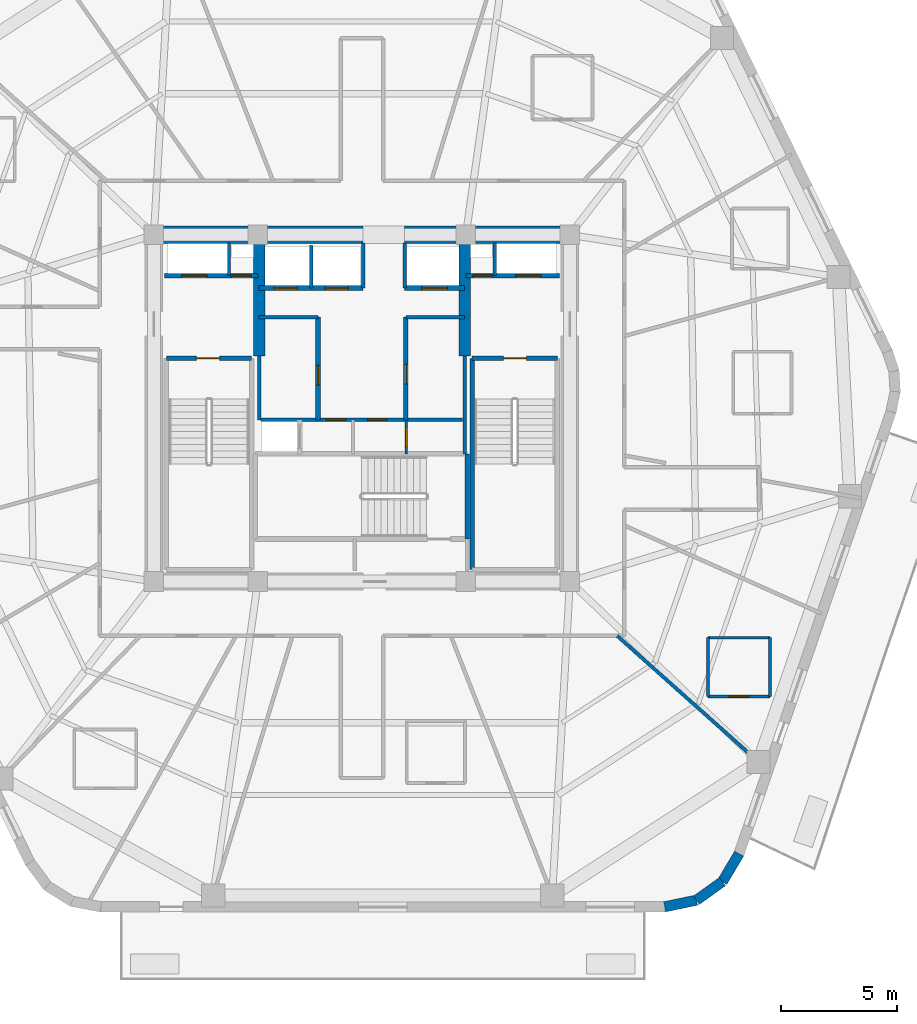
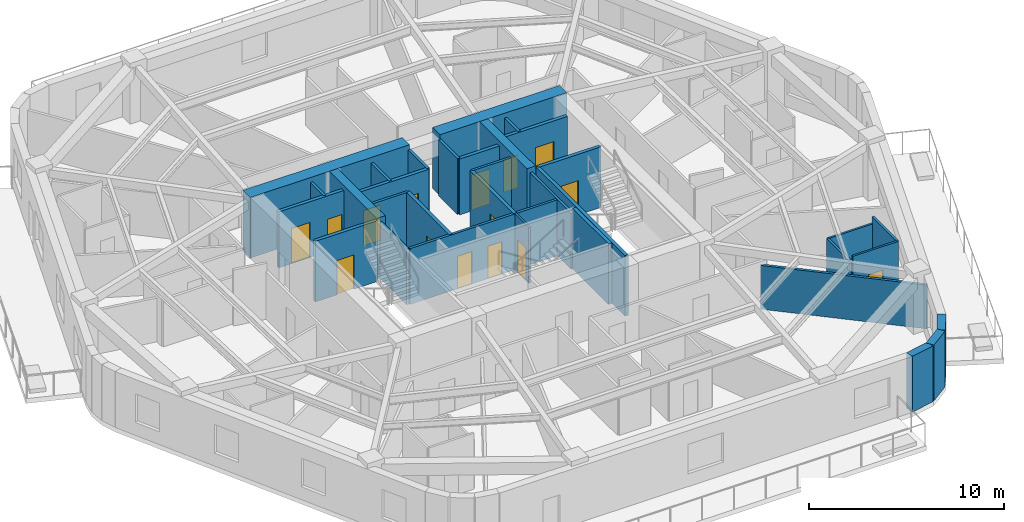
# One storey, part 4 of 9: 33 walls, 15 doors, 15 openings.
"""IFC4 building model written with IfcOpenShell, lengths in metres."""

from ifc_helpers import new_model, si_unit, direction, frame, frame_2d, origin, place, context, subcontext, project, spatial, rectangle, extrude, material, layer, layer_set, type_object, element, fill, save


model = new_model("IFC4")

# Units and contexts
model_context = context("Model", 3, precision=1e-05, world=origin(), true_north=direction((0.0, 1.0)))
body_context = subcontext(model_context, "Body", "Model", "MODEL_VIEW")
ifc_project = project(units=[si_unit("LENGTHUNIT", "METRE"), si_unit("AREAUNIT", "SQUARE_METRE"), si_unit("VOLUMEUNIT", "CUBIC_METRE"), si_unit("PLANEANGLEUNIT", "RADIAN"), si_unit("MASSUNIT", "GRAM", prefix="KILO")], contexts=[model_context])

# Site, building, storey
site_placement = place(None, origin())
site = spatial("IfcSite", under=ifc_project, at=site_placement, CompositionType="ELEMENT")
building_placement = place(site_placement, origin())
building = spatial("IfcBuilding", under=site, at=building_placement, Name="Kilnhurst Terrace Hotel", CompositionType="ELEMENT")
storey_placement = place(building_placement, frame((0.0, 0.0, 225.5)))
storey = spatial("IfcBuildingStorey", under=building, at=storey_placement, Name="L56", CompositionType="ELEMENT", Elevation=225.5)

# Walls
ifc_material_1 = material(Name="Precast concrete C40/50", Category="concrete")
ifc_layer_1 = layer(ifc_material_1, 0.449951171875, Name="Precast concrete C40/50")
ifc_layer_set_1 = layer_set([ifc_layer_1], Name="Precast concrete C40/50")
wall_type_1 = type_object("IfcWallType", Name="WL-BRK-450", PredefinedType="SOLIDWALL", material=ifc_layer_set_1)
wall_1_placement = place(storey_placement, frame((13.1015625, -21.574951171875, 0.0), z_axis=(0.0, 0.0, 1.0), x_axis=(0.978757421505, 0.205021730188, 0.0)))
element("IfcWall", 1, at=wall_1_placement, inside=storey, type_object=wall_type_1, Name="L56 Rounded Corner Brick Wall C2.1", PredefinedType="SOLIDWALL", context=body_context, shape_type="SweptSolid", body=[
    extrude(rectangle(XDim=1.40625, YDim=0.449951171875, at=frame_2d((0.703125, 0.0))), origin(), (0.0, 0.0, 1.0), 3.5),
])
wall_2_placement = place(storey_placement, frame((14.47802734375, -21.28662109375, 0.0), z_axis=(0.0, 0.0, 1.0), x_axis=(0.813888518617, 0.58102106611, 0.0)))
element("IfcWall", 2, at=wall_2_placement, inside=storey, type_object=wall_type_1, Name="L56 Rounded Corner Brick Wall C2.2", PredefinedType="SOLIDWALL", context=body_context, shape_type="SweptSolid", body=[
    extrude(rectangle(XDim=1.3828125, YDim=0.449951171875, at=frame_2d((0.69140625, 0.0))), origin(), (0.0, 0.0, 1.0), 3.5),
])
wall_3_placement = place(storey_placement, frame((15.603515625, -20.483154296875, 0.0), z_axis=(0.0, 0.0, 1.0), x_axis=(0.512222149036, 0.858852996756, 0.0)))
element("IfcWall", 3, at=wall_3_placement, inside=storey, type_object=wall_type_1, Name="L56 Rounded Corner Brick Wall C2.3", PredefinedType="SOLIDWALL", context=body_context, shape_type="SweptSolid", body=[
    extrude(rectangle(XDim=1.406494140625, YDim=0.449951171875, at=frame_2d((0.703125, 0.0))), origin(), (0.0, 0.0, 1.0), 3.5),
])
ifc_material_2 = material(Name="Concrete C60/75", Category="concrete")
ifc_layer_2 = layer(ifc_material_2, 0.75, Name="Concrete C60/75")
ifc_layer_set_2 = layer_set([ifc_layer_2], Name="Concrete C60/75")
wall_type_2 = type_object("IfcWallType", Name="WL-CORE-750", PredefinedType="SHEAR", material=ifc_layer_set_2)
wall_4_placement = place(storey_placement, frame((-9.375, 7.5, 0.0), z_axis=(0.0, 0.0, 1.0), x_axis=(1.0, 0.0, 0.0)))
element("IfcWall", 4, at=wall_4_placement, inside=storey, type_object=wall_type_2, Name="L56 Core North West Shear Wall", PredefinedType="SHEAR", context=body_context, shape_type="SweptSolid", body=[
    extrude(rectangle(XDim=9.425048828125, YDim=0.75, at=frame_2d((4.71240234375, 0.0))), origin(), (0.0, 0.0, 1.0), 3.800048828125),
])
wall_5_placement = place(storey_placement, frame((1.85009765625, 7.5, 0.0), z_axis=(0.0, 0.0, 1.0), x_axis=(1.0, 0.0, 0.0)))
element("IfcWall", 5, at=wall_5_placement, inside=storey, type_object=wall_type_2, Name="L56 Core North East Shear Wall", PredefinedType="SHEAR", context=body_context, shape_type="SweptSolid", body=[
    extrude(rectangle(XDim=7.52490234375, YDim=0.75, at=frame_2d((3.762451171875, 0.0))), origin(), (0.0, 0.0, 1.0), 3.800048828125),
])
ifc_layer_3 = layer(ifc_material_2, 0.5, Name="Concrete C60/75")
ifc_layer_set_3 = layer_set([ifc_layer_3], Name="Concrete C60/75")
wall_type_3 = type_object("IfcWallType", Name="WL-CORE-WEB-500", PredefinedType="SHEAR", material=ifc_layer_set_3)
for number, where, z_axis, x_axis, name in (
    (6, (-4.449951171875, 2.25, 0.0), (0.0, 0.0, 1.0), (0.0, 1.0, 0.0), "L56 Core Internal West Shear Web"),
    (7, (4.449951171875, 2.25, 0.0), (0.0, 0.0, 1.0), (0.0, 1.0, 0.0), "L56 Core Internal East Shear Web"),
):
    element("IfcWall", number, at=place(storey_placement, frame(where, z_axis=z_axis, x_axis=x_axis)), inside=storey, type_object=wall_type_3, Name=name, PredefinedType="SHEAR", context=body_context, shape_type="SweptSolid", body=[
        extrude(rectangle(XDim=4.875, YDim=0.5, at=frame_2d((2.4375, 0.0))), origin(), (0.0, 0.0, 1.0), 3.800048828125),
    ])
ifc_material_3 = material(Name="STC-58 Acoustic Twin-Frame Guestroom Demising Partition")
ifc_layer_4 = layer(ifc_material_3, 0.14990234375, Name="STC-58 Acoustic Twin-Frame Guestroom Demising Partition")
ifc_layer_set_4 = layer_set([ifc_layer_4], Name="STC-58 Acoustic Twin-Frame Guestroom Demising Partition")
wall_type_4 = type_object("IfcWallType", Name="WL-DEM-150", PredefinedType="PARTITIONING", material=ifc_layer_set_4)
wall_6_placement = place(storey_placement, frame((11.04833984375, -9.85009765625, 0.0), z_axis=(0.0, 0.0, 1.0), x_axis=(0.746444434655, -0.665447748492, 0.0)))
element("IfcWall", 8, at=wall_6_placement, inside=storey, type_object=wall_type_4, Name="L56 Interior Wall WL-L56-DEM-COL11-16-1", PredefinedType="PARTITIONING", context=body_context, shape_type="SweptSolid", body=[
    extrude(rectangle(XDim=8.732177734375, YDim=0.14990234375, at=frame_2d((4.3662109375, 0.0))), origin(), (0.0, 0.0, 1.0), 2.739990234375),
])

# Wall, opening, door
ifc_material_4 = material(Name="120 mm Moisture-Resistant Tile-Backed Bathroom Partition")
ifc_layer_5 = layer(ifc_material_4, 0.1201171875, Name="120 mm Moisture-Resistant Tile-Backed Bathroom Partition")
ifc_layer_set_5 = layer_set([ifc_layer_5], Name="120 mm Moisture-Resistant Tile-Backed Bathroom Partition")
wall_type_5 = type_object("IfcWallType", Name="WL-PART-120", PredefinedType="PARTITIONING", material=ifc_layer_set_5)
wall_7_placement = place(storey_placement, frame((1.919921875, -1.971923828125, 0.0), z_axis=(0.0, 0.0, 1.0), x_axis=(0.0, 1.0, 0.0)))
wall_7 = element("IfcWall", 9, at=wall_7_placement, inside=storey, type_object=wall_type_5, Name="L56 Interior Wall WL-L56-BOH-C2", PredefinedType="PARTITIONING", context=body_context, shape_type="SweptSolid", body=[
    extrude(rectangle(XDim=1.471923828125, YDim=0.1201171875, at=frame_2d((0.73583984375, 0.0))), origin(), (0.0, 0.0, 1.0), 3.5),
])
opening_1_placement = place(wall_7_placement, frame((0.300048828125, 0.0, 0.0)))
opening_1 = element("IfcOpeningElement", 10, at=opening_1_placement, cuts=wall_7, Name="Opening D-08A", PredefinedType="OPENING", context=body_context, shape_type="SweptSolid", body=[
    extrude(rectangle(XDim=0.85009765625, YDim=2.030029296875, at=frame_2d((0.425048828125, 1.01513671875))), frame((0.0, 0.070068359375, 0.0), z_axis=(0.0, -1.0, 0.0), x_axis=(1.0, 0.0, 0.0)), (0.0, 0.0, 1.0), 0.14013671875),
])
ifc_material_5 = material(Name="Moisture-Resistant Lacquered En-suite Bathroom Door")
door_type_1 = type_object("IfcDoorType", Name="DR-INT-850", OperationType="NOTDEFINED", PredefinedType="DOOR", material=ifc_material_5)
door_1_placement = place(opening_1_placement, origin())
door_1 = element("IfcDoor", 11, at=door_1_placement, inside=storey, type_object=door_type_1, Name="L56 Staff Restroom Door", OperationType="SINGLE_SWING_RIGHT", OverallHeight=2.030029296875, OverallWidth=0.85009765625, PredefinedType="DOOR", context=body_context, shape_type="SweptSolid", body=[
    extrude(rectangle(XDim=0.85009765625, YDim=2.030029296875, at=frame_2d((0.425048828125, 1.01513671875))), frame((0.0, 0.02490234375, 0.0), z_axis=(0.0, -1.0, 0.0), x_axis=(1.0, 0.0, 0.0)), (0.0, 0.0, 1.0), 0.050048828125),
])
fill(opening_1, door_1)

wall_8_placement = place(storey_placement, frame((14.97705078125, -12.468017578125, 0.0), z_axis=(0.0, 0.0, 1.0), x_axis=(1.0, 0.0, 0.0)))
wall_8 = element("IfcWall", 12, at=wall_8_placement, inside=storey, type_object=wall_type_5, Name="L56 Interior Wall WL-L56-BTH-16-1", PredefinedType="PARTITIONING", context=body_context, shape_type="SweptSolid", body=[
    extrude(rectangle(XDim=2.679931640625, YDim=0.1201171875, at=frame_2d((1.33984375, 0.0))), origin(), (0.0, 0.0, 1.0), 3.5),
])
opening_2_placement = place(wall_8_placement, frame((0.9150390625, 0.0, 0.0)))
opening_2 = element("IfcOpeningElement", 13, at=opening_2_placement, cuts=wall_8, Name="Opening D-08A", PredefinedType="OPENING", context=body_context, shape_type="SweptSolid", body=[
    extrude(rectangle(XDim=0.85009765625, YDim=2.030029296875, at=frame_2d((0.425048828125, 1.01513671875))), frame((0.0, 0.070068359375, 0.0), z_axis=(0.0, -1.0, 0.0), x_axis=(1.0, 0.0, 0.0)), (0.0, 0.0, 1.0), 0.14013671875),
])
door_2_placement = place(opening_2_placement, origin())
door_2 = element("IfcDoor", 14, at=door_2_placement, inside=storey, type_object=door_type_1, Name="L56 En-suite Bathroom Door 16", OperationType="SINGLE_SWING_LEFT", OverallHeight=2.030029296875, OverallWidth=0.85009765625, PredefinedType="DOOR", context=body_context, shape_type="SweptSolid", body=[
    extrude(rectangle(XDim=0.85009765625, YDim=2.030029296875, at=frame_2d((0.425048828125, 1.01513671875))), frame((0.0, 0.02490234375, 0.0), z_axis=(0.0, -1.0, 0.0), x_axis=(1.0, 0.0, 0.0)), (0.0, 0.0, 1.0), 0.050048828125),
])
fill(opening_2, door_2)

# Walls
wall_9_placement = place(storey_placement, frame((17.656982421875, -12.468017578125, 0.0), z_axis=(0.0, 0.0, 1.0), x_axis=(0.0, 1.0, 0.0)))
element("IfcWall", 15, at=wall_9_placement, inside=storey, type_object=wall_type_5, Name="L56 Interior Wall WL-L56-BTH-16-2", PredefinedType="PARTITIONING", context=body_context, shape_type="SweptSolid", body=[
    extrude(rectangle(XDim=2.5400390625, YDim=0.1201171875, at=frame_2d((1.27001953125, 0.0))), origin(), (0.0, 0.0, 1.0), 3.5),
])
wall_10_placement = place(storey_placement, frame((17.656982421875, -9.927978515625, 0.0), z_axis=(0.0, 0.0, 1.0), x_axis=(-1.0, 0.0, 0.0)))
element("IfcWall", 16, at=wall_10_placement, inside=storey, type_object=wall_type_5, Name="L56 Interior Wall WL-L56-BTH-16-3", PredefinedType="PARTITIONING", context=body_context, shape_type="SweptSolid", body=[
    extrude(rectangle(XDim=2.679931640625, YDim=0.1201171875, at=frame_2d((1.33984375, 0.0))), origin(), (0.0, 0.0, 1.0), 3.072509765625),
])
wall_11_placement = place(storey_placement, frame((14.97705078125, -9.927978515625, 0.0), z_axis=(0.0, 0.0, 1.0), x_axis=(0.0, -1.0, 0.0)))
element("IfcWall", 17, at=wall_11_placement, inside=storey, type_object=wall_type_5, Name="L56 Interior Wall WL-L56-BTH-16-4", PredefinedType="PARTITIONING", context=body_context, shape_type="SweptSolid", body=[
    extrude(rectangle(XDim=2.5400390625, YDim=0.1201171875, at=frame_2d((1.27001953125, 0.0))), origin(), (0.0, 0.0, 1.0), 3.072509765625),
])
ifc_material_6 = material(Name="Fire-Rated Gypsum Shaftliner Assembly")
ifc_layer_6 = layer(ifc_material_6, 0.14990234375, Name="Fire-Rated Gypsum Shaftliner Assembly")
ifc_layer_set_6 = layer_set([ifc_layer_6], Name="Fire-Rated Gypsum Shaftliner Assembly")
wall_type_6 = type_object("IfcWallType", Name="WL-SHAFT-150", PredefinedType="PARTITIONING", material=ifc_layer_set_6)
for number, where, z_axis, x_axis, name in (
    (18, (-5.75, 5.739990234375, 0.0), (0.0, 0.0, 1.0), (0.0, 1.0, 0.0), "L56 Interior Wall WL-L56-RIS1-DIV"),
    (19, (5.75, 5.739990234375, 0.0), (0.0, 0.0, 1.0), (0.0, 1.0, 0.0), "L56 Interior Wall WL-L56-RIS2-DIV"),
):
    element("IfcWall", number, at=place(storey_placement, frame(where, z_axis=z_axis, x_axis=x_axis)), inside=storey, type_object=wall_type_6, Name=name, PredefinedType="PARTITIONING", context=body_context, shape_type="SweptSolid", body=[
        extrude(rectangle(XDim=1.409912109375, YDim=0.14990234375, at=frame_2d((0.705078125, 0.0))), origin(), (0.0, 0.0, 1.0), 3.5),
    ])
wall_12_placement = place(storey_placement, frame((-2.199951171875, 5.199951171875, 0.0), z_axis=(0.0, 0.0, 1.0), x_axis=(0.0, 1.0, 0.0)))
element("IfcWall", 20, at=wall_12_placement, inside=storey, type_object=wall_type_6, Name="L56 Interior Wall WL-L56-HR-DIV1", PredefinedType="PARTITIONING", context=body_context, shape_type="SweptSolid", body=[
    extrude(rectangle(XDim=1.85009765625, YDim=0.14990234375, at=frame_2d((0.925048828125, 0.0))), origin(), (0.0, 0.0, 1.0), 3.5),
])
for number, where, z_axis, x_axis, name in (
    (21, (0.050048828125, 5.199951171875, 0.0), (0.0, 0.0, 1.0), (0.0, 1.0, 0.0), "L56 Interior Wall WL-L56-HR-PORTAL-W"),
    (22, (1.85009765625, 5.199951171875, 0.0), (0.0, 0.0, 1.0), (0.0, 1.0, 0.0), "L56 Interior Wall WL-L56-HR-PORTAL-E"),
):
    element("IfcWall", number, at=place(storey_placement, frame(where, z_axis=z_axis, x_axis=x_axis)), inside=storey, type_object=wall_type_6, Name=name, PredefinedType="PARTITIONING", context=body_context, shape_type="SweptSolid", body=[
        extrude(rectangle(XDim=1.949951171875, YDim=0.14990234375, at=frame_2d((0.97509765625, 0.0))), origin(), (0.0, 0.0, 1.0), 3.5),
    ])
wall_13_placement = place(storey_placement, frame((-4.449951171875, -0.5, 0.0), z_axis=(0.0, 0.0, 1.0), x_axis=(0.0, 1.0, 0.0)))
element("IfcWall", 23, at=wall_13_placement, inside=storey, type_object=wall_type_6, Name="L56 Interior Wall WL-L56-XLOB-W", PredefinedType="PARTITIONING", context=body_context, shape_type="SweptSolid", body=[
    extrude(rectangle(XDim=2.75, YDim=0.14990234375, at=frame_2d((1.375, 0.0))), origin(), (0.0, 0.0, 1.0), 3.5),
])
wall_14_placement = place(storey_placement, frame((4.449951171875, -1.971923828125, 0.0), z_axis=(0.0, 0.0, 1.0), x_axis=(0.0, 1.0, 0.0)))
element("IfcWall", 24, at=wall_14_placement, inside=storey, type_object=wall_type_6, Name="L56 Interior Wall WL-L56-XLOB-E", PredefinedType="PARTITIONING", context=body_context, shape_type="SweptSolid", body=[
    extrude(rectangle(XDim=4.221923828125, YDim=0.14990234375, at=frame_2d((2.11083984375, 0.0))), origin(), (0.0, 0.0, 1.0), 3.5),
])
for number, where, z_axis, x_axis, name in (
    (25, (-4.449951171875, 3.93994140625, 0.0), (0.0, 0.0, 1.0), (1.0, 0.0, 0.0), "L56 Interior Wall WL-L56-LR-NORTH"),
    (26, (1.89990234375, 3.93994140625, 0.0), (0.0, 0.0, 1.0), (1.0, 0.0, 0.0), "L56 Interior Wall WL-L56-MR-NORTH"),
):
    element("IfcWall", number, at=place(storey_placement, frame(where, z_axis=z_axis, x_axis=x_axis)), inside=storey, type_object=wall_type_6, Name=name, PredefinedType="PARTITIONING", context=body_context, shape_type="SweptSolid", body=[
        extrude(rectangle(XDim=2.550048828125, YDim=0.14990234375, at=frame_2d((1.27490234375, 0.0))), origin(), (0.0, 0.0, 1.0), 3.5),
    ])

# Wall, openings, doors
wall_15_placement = place(storey_placement, frame((-4.360107421875, -0.489990234375, 0.0), z_axis=(0.0, 0.0, 1.0), x_axis=(1.0, 0.0, 0.0)))
wall_15 = element("IfcWall", 27, at=wall_15_placement, inside=storey, type_object=wall_type_6, Name="L56 Interior Wall WL-L56-BOH-N", PredefinedType="PARTITIONING", context=body_context, shape_type="SweptSolid", body=[
    extrude(rectangle(XDim=8.72021484375, YDim=0.14990234375, at=frame_2d((4.360107421875, 0.0))), origin(), (0.0, 0.0, 1.0), 3.5),
])
opening_3_placement = place(wall_15_placement, frame((2.81005859375, 0.0, 0.0)))
opening_3 = element("IfcOpeningElement", 28, at=opening_3_placement, cuts=wall_15, Name="Opening D-60D", PredefinedType="OPENING", context=body_context, shape_type="SweptSolid", body=[
    extrude(rectangle(XDim=0.85009765625, YDim=2.030029296875, at=frame_2d((0.425048828125, 1.01513671875))), frame((0.0, 0.0849609375, 0.0), z_axis=(0.0, -1.0, 0.0), x_axis=(1.0, 0.0, 0.0)), (0.0, 0.0, 1.0), 0.169921875),
])
opening_4_placement = place(wall_15_placement, frame((4.610107421875, 0.0, 0.0)))
opening_4 = element("IfcOpeningElement", 29, at=opening_4_placement, cuts=wall_15, Name="Opening D-60D", PredefinedType="OPENING", context=body_context, shape_type="SweptSolid", body=[
    extrude(rectangle(XDim=0.85009765625, YDim=2.030029296875, at=frame_2d((0.425048828125, 1.01513671875))), frame((0.0, 0.0849609375, 0.0), z_axis=(0.0, -1.0, 0.0), x_axis=(1.0, 0.0, 0.0)), (0.0, 0.0, 1.0), 0.169921875),
])
ifc_material_7 = material(Name="Painted Hollow Metal Steel ASTM A36 Riser Door", Category="steel")
door_type_2 = type_object("IfcDoorType", Name="DR-FD60-850", OperationType="NOTDEFINED", PredefinedType="DOOR", material=ifc_material_7)
door_3_placement = place(opening_3_placement, origin())
door_3 = element("IfcDoor", 30, at=door_3_placement, inside=storey, type_object=door_type_2, Name="L56 Housekeeping Station Door", OperationType="SINGLE_SWING_LEFT", OverallHeight=2.030029296875, OverallWidth=0.85009765625, PredefinedType="DOOR", context=body_context, shape_type="SweptSolid", body=[
    extrude(rectangle(XDim=0.85009765625, YDim=2.030029296875, at=frame_2d((0.425048828125, 1.01513671875))), frame((0.0, 0.02490234375, 0.0), z_axis=(0.0, -1.0, 0.0), x_axis=(1.0, 0.0, 0.0)), (0.0, 0.0, 1.0), 0.050048828125),
])
fill(opening_3, door_3)
door_4_placement = place(opening_4_placement, origin())
door_4 = element("IfcDoor", 31, at=door_4_placement, inside=storey, type_object=door_type_2, Name="L56 Beverage Pantry Door", OperationType="SINGLE_SWING_RIGHT", OverallHeight=2.030029296875, OverallWidth=0.85009765625, PredefinedType="DOOR", context=body_context, shape_type="SweptSolid", body=[
    extrude(rectangle(XDim=0.85009765625, YDim=2.030029296875, at=frame_2d((0.425048828125, 1.01513671875))), frame((0.0, 0.02490234375, 0.0), z_axis=(0.0, -1.0, 0.0), x_axis=(1.0, 0.0, 0.0)), (0.0, 0.0, 1.0), 0.050048828125),
])
fill(opening_4, door_4)

ifc_material_8 = material(Name="Autoclaved Aerated Concrete C30/37 and Gypsum Shaft Assembly", Category="concrete")
ifc_layer_7 = layer(ifc_material_8, 0.199951171875, Name="Autoclaved Aerated Concrete C30/37 and Gypsum Shaft Assembly")
ifc_layer_set_7 = layer_set([ifc_layer_7], Name="Autoclaved Aerated Concrete C30/37 and Gypsum Shaft Assembly")
wall_type_7 = type_object("IfcWallType", Name="WL-SHAFT-200", PredefinedType="PARTITIONING", material=ifc_layer_set_7)
wall_16_placement = place(storey_placement, frame((-8.550048828125, 5.739990234375, 0.0), z_axis=(0.0, 0.0, 1.0), x_axis=(1.0, 0.0, 0.0)))
wall_16 = element("IfcWall", 32, at=wall_16_placement, inside=storey, type_object=wall_type_7, Name="L56 Interior Wall WL-L56-FSAE1-S", PredefinedType="PARTITIONING", context=body_context, shape_type="SweptSolid", body=[
    extrude(rectangle(XDim=4.050048828125, YDim=0.199951171875, at=frame_2d((2.02490234375, 0.0))), origin(), (0.0, 0.0, 1.0), 3.5),
])
opening_5_placement = place(wall_16_placement, frame((0.75, 0.0, 0.0)))
opening_5 = element("IfcOpeningElement", 33, at=opening_5_placement, cuts=wall_16, Name="Opening LD-F1", PredefinedType="OPENING", context=body_context, shape_type="SweptSolid", body=[
    extrude(rectangle(XDim=1.10009765625, YDim=2.199951171875, at=frame_2d((0.550048828125, 1.10009765625))), frame((0.0, 0.10986328125, 0.0), z_axis=(0.0, -1.0, 0.0), x_axis=(1.0, 0.0, 0.0)), (0.0, 0.0, 1.0), 0.219970703125),
])
opening_6_placement = place(wall_16_placement, frame((2.89990234375, 0.0, 0.0)))
opening_6 = element("IfcOpeningElement", 34, at=opening_6_placement, cuts=wall_16, Name="Opening D-60D", PredefinedType="OPENING", context=body_context, shape_type="SweptSolid", body=[
    extrude(rectangle(XDim=0.85009765625, YDim=2.030029296875, at=frame_2d((0.425048828125, 1.01513671875))), frame((0.0, 0.10986328125, 0.0), z_axis=(0.0, -1.0, 0.0), x_axis=(1.0, 0.0, 0.0)), (0.0, 0.0, 1.0), 0.219970703125),
])
door_5_placement = place(opening_6_placement, origin())
door_5 = element("IfcDoor", 35, at=door_5_placement, inside=storey, type_object=door_type_2, Name="L56 Electrical Riser Door", OperationType="SINGLE_SWING_LEFT", OverallHeight=2.030029296875, OverallWidth=0.85009765625, PredefinedType="DOOR", context=body_context, shape_type="SweptSolid", body=[
    extrude(rectangle(XDim=0.85009765625, YDim=2.030029296875, at=frame_2d((0.425048828125, 1.01513671875))), frame((0.0, 0.02490234375, 0.0), z_axis=(0.0, -1.0, 0.0), x_axis=(1.0, 0.0, 0.0)), (0.0, 0.0, 1.0), 0.050048828125),
])
fill(opening_6, door_5)
ifc_material_9 = material(Name="Bronze-Anodized Stainless Steel AISI 316L Sliding Door", Category="steel")
door_type_3 = type_object("IfcDoorType", Name="DR-LIFT-1100", OperationType="NOTDEFINED", PredefinedType="DOOR", material=ifc_material_9)
door_6_placement = place(opening_5_placement, origin())
door_6 = element("IfcDoor", 36, at=door_6_placement, inside=storey, type_object=door_type_3, Name="L56 FSAE-1 Landing Door", OperationType="SLIDING_TO_LEFT", OverallHeight=2.199951171875, OverallWidth=1.10009765625, PredefinedType="DOOR", context=body_context, shape_type="SweptSolid", body=[
    extrude(rectangle(XDim=1.10009765625, YDim=2.199951171875, at=frame_2d((0.550048828125, 1.10009765625))), frame((0.0, 0.02490234375, 0.0), z_axis=(0.0, -1.0, 0.0), x_axis=(1.0, 0.0, 0.0)), (0.0, 0.0, 1.0), 0.050048828125),
])
fill(opening_5, door_6)

wall_17_placement = place(storey_placement, frame((4.5, 5.739990234375, 0.0), z_axis=(0.0, 0.0, 1.0), x_axis=(1.0, 0.0, 0.0)))
wall_17 = element("IfcWall", 37, at=wall_17_placement, inside=storey, type_object=wall_type_7, Name="L56 Interior Wall WL-L56-FSAE2-S", PredefinedType="PARTITIONING", context=body_context, shape_type="SweptSolid", body=[
    extrude(rectangle(XDim=4.050048828125, YDim=0.199951171875, at=frame_2d((2.02490234375, 0.0))), origin(), (0.0, 0.0, 1.0), 3.5),
])
opening_7_placement = place(wall_17_placement, frame((0.300048828125, 0.0, 0.0)))
opening_7 = element("IfcOpeningElement", 38, at=opening_7_placement, cuts=wall_17, Name="Opening D-60D", PredefinedType="OPENING", context=body_context, shape_type="SweptSolid", body=[
    extrude(rectangle(XDim=0.85009765625, YDim=2.030029296875, at=frame_2d((0.425048828125, 1.01513671875))), frame((0.0, 0.10986328125, 0.0), z_axis=(0.0, -1.0, 0.0), x_axis=(1.0, 0.0, 0.0)), (0.0, 0.0, 1.0), 0.219970703125),
])
opening_8_placement = place(wall_17_placement, frame((2.14990234375, 0.0, 0.0)))
opening_8 = element("IfcOpeningElement", 39, at=opening_8_placement, cuts=wall_17, Name="Opening LD-F2", PredefinedType="OPENING", context=body_context, shape_type="SweptSolid", body=[
    extrude(rectangle(XDim=1.10009765625, YDim=2.199951171875, at=frame_2d((0.550048828125, 1.10009765625))), frame((0.0, 0.10986328125, 0.0), z_axis=(0.0, -1.0, 0.0), x_axis=(1.0, 0.0, 0.0)), (0.0, 0.0, 1.0), 0.219970703125),
])
door_7_placement = place(opening_7_placement, origin())
door_7 = element("IfcDoor", 40, at=door_7_placement, inside=storey, type_object=door_type_2, Name="L56 Telecom Riser Door", OperationType="SINGLE_SWING_RIGHT", OverallHeight=2.030029296875, OverallWidth=0.85009765625, PredefinedType="DOOR", context=body_context, shape_type="SweptSolid", body=[
    extrude(rectangle(XDim=0.85009765625, YDim=2.030029296875, at=frame_2d((0.425048828125, 1.01513671875))), frame((0.0, 0.02490234375, 0.0), z_axis=(0.0, -1.0, 0.0), x_axis=(1.0, 0.0, 0.0)), (0.0, 0.0, 1.0), 0.050048828125),
])
fill(opening_7, door_7)
door_8_placement = place(opening_8_placement, origin())
door_8 = element("IfcDoor", 41, at=door_8_placement, inside=storey, type_object=door_type_3, Name="L56 FSAE-2 Landing Door", OperationType="SLIDING_TO_RIGHT", OverallHeight=2.199951171875, OverallWidth=1.10009765625, PredefinedType="DOOR", context=body_context, shape_type="SweptSolid", body=[
    extrude(rectangle(XDim=1.10009765625, YDim=2.199951171875, at=frame_2d((0.550048828125, 1.10009765625))), frame((0.0, 0.02490234375, 0.0), z_axis=(0.0, -1.0, 0.0), x_axis=(1.0, 0.0, 0.0)), (0.0, 0.0, 1.0), 0.050048828125),
])
fill(opening_8, door_8)

wall_18_placement = place(storey_placement, frame((-4.449951171875, 5.199951171875, 0.0), z_axis=(0.0, 0.0, 1.0), x_axis=(1.0, 0.0, 0.0)))
wall_18 = element("IfcWall", 42, at=wall_18_placement, inside=storey, type_object=wall_type_7, Name="L56 Interior Wall WL-L56-HR-SW", PredefinedType="PARTITIONING", context=body_context, shape_type="SweptSolid", body=[
    extrude(rectangle(XDim=4.5, YDim=0.199951171875, at=frame_2d((2.25, 0.0))), origin(), (0.0, 0.0, 1.0), 3.5),
])
opening_9_placement = place(wall_18_placement, frame((0.64990234375, 0.0, 0.0)))
opening_9 = element("IfcOpeningElement", 43, at=opening_9_placement, cuts=wall_18, Name="Opening LD-HR", PredefinedType="OPENING", context=body_context, shape_type="SweptSolid", body=[
    extrude(rectangle(XDim=1.0, YDim=2.199951171875, at=frame_2d((0.5, 1.10009765625))), frame((0.0, 0.10986328125, 0.0), z_axis=(0.0, -1.0, 0.0), x_axis=(1.0, 0.0, 0.0)), (0.0, 0.0, 1.0), 0.219970703125),
])
opening_10_placement = place(wall_18_placement, frame((2.85009765625, 0.0, 0.0)))
opening_10 = element("IfcOpeningElement", 44, at=opening_10_placement, cuts=wall_18, Name="Opening LD-HS", PredefinedType="OPENING", context=body_context, shape_type="SweptSolid", body=[
    extrude(rectangle(XDim=1.0, YDim=2.199951171875, at=frame_2d((0.5, 1.10009765625))), frame((0.0, 0.10986328125, 0.0), z_axis=(0.0, -1.0, 0.0), x_axis=(1.0, 0.0, 0.0)), (0.0, 0.0, 1.0), 0.219970703125),
])
door_type_4 = type_object("IfcDoorType", Name="DR-LIFT-1000", OperationType="NOTDEFINED", PredefinedType="DOOR", material=ifc_material_9)
door_9_placement = place(opening_9_placement, origin())
door_9 = element("IfcDoor", 45, at=door_9_placement, inside=storey, type_object=door_type_4, Name="L56 High Rise Lift HR-1 Landing Door", OperationType="SLIDING_TO_LEFT", OverallHeight=2.199951171875, OverallWidth=1.0, PredefinedType="DOOR", context=body_context, shape_type="SweptSolid", body=[
    extrude(rectangle(XDim=1.0, YDim=2.199951171875, at=frame_2d((0.5, 1.10009765625))), frame((0.0, 0.02490234375, 0.0), z_axis=(0.0, -1.0, 0.0), x_axis=(1.0, 0.0, 0.0)), (0.0, 0.0, 1.0), 0.050048828125),
])
fill(opening_9, door_9)
door_10_placement = place(opening_10_placement, origin())
door_10 = element("IfcDoor", 46, at=door_10_placement, inside=storey, type_object=door_type_4, Name="L56 High Rise Lift HR-3 Landing Door", OperationType="SLIDING_TO_RIGHT", OverallHeight=2.199951171875, OverallWidth=1.0, PredefinedType="DOOR", context=body_context, shape_type="SweptSolid", body=[
    extrude(rectangle(XDim=1.0, YDim=2.199951171875, at=frame_2d((0.5, 1.10009765625))), frame((0.0, 0.02490234375, 0.0), z_axis=(0.0, -1.0, 0.0), x_axis=(1.0, 0.0, 0.0)), (0.0, 0.0, 1.0), 0.050048828125),
])
fill(opening_10, door_10)

# Wall, opening, door
wall_19_placement = place(storey_placement, frame((1.85009765625, 5.199951171875, 0.0), z_axis=(0.0, 0.0, 1.0), x_axis=(1.0, 0.0, 0.0)))
wall_19 = element("IfcWall", 47, at=wall_19_placement, inside=storey, type_object=wall_type_7, Name="L56 Interior Wall WL-L56-HR-SE", PredefinedType="PARTITIONING", context=body_context, shape_type="SweptSolid", body=[
    extrude(rectangle(XDim=2.599853515625, YDim=0.199951171875, at=frame_2d((1.2998046875, 0.0))), origin(), (0.0, 0.0, 1.0), 3.5),
])
opening_11_placement = place(wall_19_placement, frame((0.75, 0.0, 0.0)))
opening_11 = element("IfcOpeningElement", 48, at=opening_11_placement, cuts=wall_19, Name="Opening LD-H2", PredefinedType="OPENING", context=body_context, shape_type="SweptSolid", body=[
    extrude(rectangle(XDim=1.10009765625, YDim=2.199951171875, at=frame_2d((0.550048828125, 1.10009765625))), frame((0.0, 0.10986328125, 0.0), z_axis=(0.0, -1.0, 0.0), x_axis=(1.0, 0.0, 0.0)), (0.0, 0.0, 1.0), 0.219970703125),
])
door_11_placement = place(opening_11_placement, origin())
door_11 = element("IfcDoor", 49, at=door_11_placement, inside=storey, type_object=door_type_3, Name="L56 High Rise Lift HR-2 Landing Door", OperationType="SLIDING_TO_RIGHT", OverallHeight=2.199951171875, OverallWidth=1.10009765625, PredefinedType="DOOR", context=body_context, shape_type="SweptSolid", body=[
    extrude(rectangle(XDim=1.10009765625, YDim=2.199951171875, at=frame_2d((0.550048828125, 1.10009765625))), frame((0.0, 0.02490234375, 0.0), z_axis=(0.0, -1.0, 0.0), x_axis=(1.0, 0.0, 0.0)), (0.0, 0.0, 1.0), 0.050048828125),
])
fill(opening_11, door_11)

wall_20_placement = place(storey_placement, frame((-1.89990234375, -0.5, 0.0), z_axis=(0.0, 0.0, 1.0), x_axis=(0.0, 1.0, 0.0)))
wall_20 = element("IfcWall", 50, at=wall_20_placement, inside=storey, type_object=wall_type_7, Name="L56 Interior Wall WL-L56-LR-FRONT", PredefinedType="PARTITIONING", context=body_context, shape_type="SweptSolid", body=[
    extrude(rectangle(XDim=4.43994140625, YDim=0.199951171875, at=frame_2d((2.219970703125, 0.0))), origin(), (0.0, 0.0, 1.0), 3.5),
])
opening_12_placement = place(wall_20_placement, frame((1.5, 0.0, 0.0)))
opening_12 = element("IfcOpeningElement", 51, at=opening_12_placement, cuts=wall_20, Name="Opening D-60D", PredefinedType="OPENING", context=body_context, shape_type="SweptSolid", body=[
    extrude(rectangle(XDim=0.85009765625, YDim=2.030029296875, at=frame_2d((0.425048828125, 1.01513671875))), frame((0.0, 0.10986328125, 0.0), z_axis=(0.0, -1.0, 0.0), x_axis=(1.0, 0.0, 0.0)), (0.0, 0.0, 1.0), 0.219970703125),
])
door_12_placement = place(opening_12_placement, origin())
door_12 = element("IfcDoor", 52, at=door_12_placement, inside=storey, type_object=door_type_2, Name="L56 Reclaimed Linen Room Door", OperationType="SINGLE_SWING_LEFT", OverallHeight=2.030029296875, OverallWidth=0.85009765625, PredefinedType="DOOR", context=body_context, shape_type="SweptSolid", body=[
    extrude(rectangle(XDim=0.85009765625, YDim=2.030029296875, at=frame_2d((0.425048828125, 1.01513671875))), frame((0.0, 0.02490234375, 0.0), z_axis=(0.0, -1.0, 0.0), x_axis=(1.0, 0.0, 0.0)), (0.0, 0.0, 1.0), 0.050048828125),
])
fill(opening_12, door_12)

wall_21_placement = place(storey_placement, frame((1.89990234375, -0.5, 0.0), z_axis=(0.0, 0.0, 1.0), x_axis=(0.0, 1.0, 0.0)))
wall_21 = element("IfcWall", 53, at=wall_21_placement, inside=storey, type_object=wall_type_7, Name="L56 Interior Wall WL-L56-MR-FRONT", PredefinedType="PARTITIONING", context=body_context, shape_type="SweptSolid", body=[
    extrude(rectangle(XDim=4.43994140625, YDim=0.199951171875, at=frame_2d((2.219970703125, 0.0))), origin(), (0.0, 0.0, 1.0), 3.5),
])
opening_13_placement = place(wall_21_placement, frame((1.550048828125, 0.0, 0.0)))
opening_13 = element("IfcOpeningElement", 54, at=opening_13_placement, cuts=wall_21, Name="Opening D-60D", PredefinedType="OPENING", context=body_context, shape_type="SweptSolid", body=[
    extrude(rectangle(XDim=0.85009765625, YDim=2.030029296875, at=frame_2d((0.425048828125, 1.01513671875))), frame((0.0, 0.10986328125, 0.0), z_axis=(0.0, -1.0, 0.0), x_axis=(1.0, 0.0, 0.0)), (0.0, 0.0, 1.0), 0.219970703125),
])
door_13_placement = place(opening_13_placement, origin())
door_13 = element("IfcDoor", 55, at=door_13_placement, inside=storey, type_object=door_type_2, Name="L56 Staff Accessible Restroom Door", OperationType="SINGLE_SWING_RIGHT", OverallHeight=2.030029296875, OverallWidth=0.85009765625, PredefinedType="DOOR", context=body_context, shape_type="SweptSolid", body=[
    extrude(rectangle(XDim=0.85009765625, YDim=2.030029296875, at=frame_2d((0.425048828125, 1.01513671875))), frame((0.0, 0.02490234375, 0.0), z_axis=(0.0, -1.0, 0.0), x_axis=(1.0, 0.0, 0.0)), (0.0, 0.0, 1.0), 0.050048828125),
])
fill(opening_13, door_13)

ifc_material_10 = material(Name="Concrete C50/60", Category="concrete")
ifc_layer_8 = layer(ifc_material_10, 0.199951171875, Name="Concrete C50/60")
ifc_layer_set_8 = layer_set([ifc_layer_8], Name="Concrete C50/60")
wall_type_8 = type_object("IfcWallType", Name="WL-STAIR-RC-200", PredefinedType="SHEAR", material=ifc_layer_set_8)
wall_22_placement = place(storey_placement, frame((-8.4580078125, 2.157958984375, 0.0), z_axis=(0.0, 0.0, 1.0), x_axis=(1.0, 0.0, 0.0)))
wall_22 = element("IfcWall", 56, at=wall_22_placement, inside=storey, type_object=wall_type_8, Name="L56 Structural Stair Shaft Wall WL-L56-ST1-N", PredefinedType="SHEAR", context=body_context, shape_type="SweptSolid", body=[
    extrude(rectangle(XDim=3.68603515625, YDim=0.199951171875, at=frame_2d((1.843017578125, 0.0))), origin(), (0.0, 0.0, 1.0), 3.800048828125),
])
opening_14_placement = place(wall_22_placement, frame((1.300048828125, 0.0, 0.0)))
opening_14 = element("IfcOpeningElement", 57, at=opening_14_placement, cuts=wall_22, Name="Opening D-90B", PredefinedType="OPENING", context=body_context, shape_type="SweptSolid", body=[
    extrude(rectangle(XDim=1.0, YDim=2.14990234375, at=frame_2d((0.5, 1.074951171875))), frame((0.0, 0.10986328125, 0.0), z_axis=(0.0, -1.0, 0.0), x_axis=(1.0, 0.0, 0.0)), (0.0, 0.0, 1.0), 0.219970703125),
])
ifc_material_11 = material(Name="Painted Hollow Metal Steel ASTM A36 Fire Door", Category="steel")
door_type_5 = type_object("IfcDoorType", Name="DR-FD90-1000", OperationType="NOTDEFINED", PredefinedType="DOOR", material=ifc_material_11)
door_14_placement = place(opening_14_placement, origin())
door_14 = element("IfcDoor", 58, at=door_14_placement, inside=storey, type_object=door_type_5, Name="L56 Stair ST-1 Door", OperationType="SINGLE_SWING_LEFT", OverallHeight=2.14990234375, OverallWidth=1.0, PredefinedType="DOOR", context=body_context, shape_type="SweptSolid", body=[
    extrude(rectangle(XDim=1.0, YDim=2.14990234375, at=frame_2d((0.5, 1.074951171875))), frame((0.0, 0.02490234375, 0.0), z_axis=(0.0, -1.0, 0.0), x_axis=(1.0, 0.0, 0.0)), (0.0, 0.0, 1.0), 0.050048828125),
])
fill(opening_14, door_14)

# Wall
wall_23_placement = place(storey_placement, frame((4.77197265625, -6.985107421875, 0.0), z_axis=(0.0, 0.0, 1.0), x_axis=(0.0, 1.0, 0.0)))
element("IfcWall", 59, at=wall_23_placement, inside=storey, type_object=wall_type_8, Name="L56 Structural Stair Shaft Wall WL-L56-ST2-W", PredefinedType="SHEAR", context=body_context, shape_type="SweptSolid", body=[
    extrude(rectangle(XDim=9.14306640625, YDim=0.199951171875, at=frame_2d((4.571533203125, 0.0))), origin(), (0.0, 0.0, 1.0), 3.800048828125),
])

# Wall, opening, door
wall_24_placement = place(storey_placement, frame((4.77197265625, 2.157958984375, 0.0), z_axis=(0.0, 0.0, 1.0), x_axis=(1.0, 0.0, 0.0)))
wall_24 = element("IfcWall", 60, at=wall_24_placement, inside=storey, type_object=wall_type_8, Name="L56 Structural Stair Shaft Wall WL-L56-ST2-N", PredefinedType="SHEAR", context=body_context, shape_type="SweptSolid", body=[
    extrude(rectangle(XDim=3.68603515625, YDim=0.199951171875, at=frame_2d((1.843017578125, 0.0))), origin(), (0.0, 0.0, 1.0), 3.800048828125),
])
opening_15_placement = place(wall_24_placement, frame((1.35009765625, 0.0, 0.0)))
opening_15 = element("IfcOpeningElement", 61, at=opening_15_placement, cuts=wall_24, Name="Opening D-90B", PredefinedType="OPENING", context=body_context, shape_type="SweptSolid", body=[
    extrude(rectangle(XDim=1.0, YDim=2.14990234375, at=frame_2d((0.5, 1.074951171875))), frame((0.0, 0.10986328125, 0.0), z_axis=(0.0, -1.0, 0.0), x_axis=(1.0, 0.0, 0.0)), (0.0, 0.0, 1.0), 0.219970703125),
])
door_15_placement = place(opening_15_placement, origin())
door_15 = element("IfcDoor", 62, at=door_15_placement, inside=storey, type_object=door_type_5, Name="L56 Stair ST-2 Door", OperationType="SINGLE_SWING_RIGHT", OverallHeight=2.14990234375, OverallWidth=1.0, PredefinedType="DOOR", context=body_context, shape_type="SweptSolid", body=[
    extrude(rectangle(XDim=1.0, YDim=2.14990234375, at=frame_2d((0.5, 1.074951171875))), frame((0.0, 0.02490234375, 0.0), z_axis=(0.0, -1.0, 0.0), x_axis=(1.0, 0.0, 0.0)), (0.0, 0.0, 1.0), 0.050048828125),
])
fill(opening_15, door_15)

# Wall
wall_25_placement = place(storey_placement, frame((4.55810546875, -5.657958984375, 0.0), z_axis=(0.0, 0.0, 1.0), x_axis=(0.0, 1.0, 0.0)))
element("IfcWall", 63, at=wall_25_placement, inside=storey, type_object=wall_type_8, Name="L56 Structural Stair Shaft Wall WL-L56-ST3-E", PredefinedType="SHEAR", context=body_context, shape_type="SweptSolid", body=[
    extrude(rectangle(XDim=3.68603515625, YDim=0.199951171875, at=frame_2d((1.843017578125, 0.0))), origin(), (0.0, 0.0, 1.0), 3.800048828125),
])

save(model, "model.ifc")
